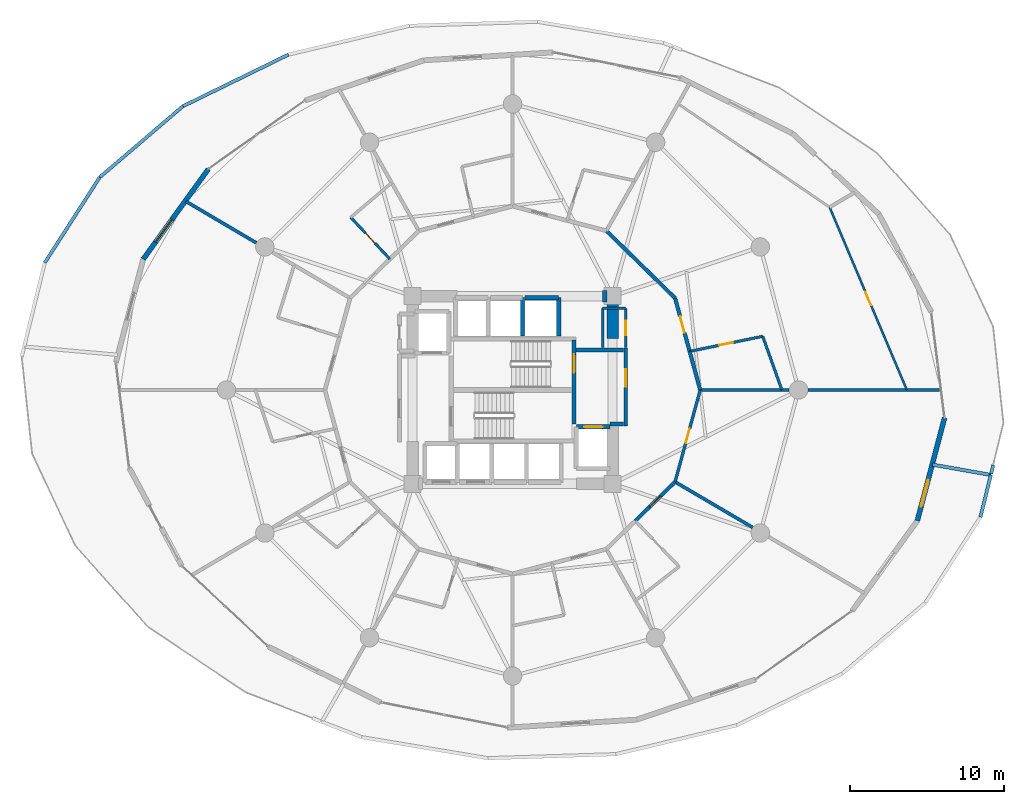
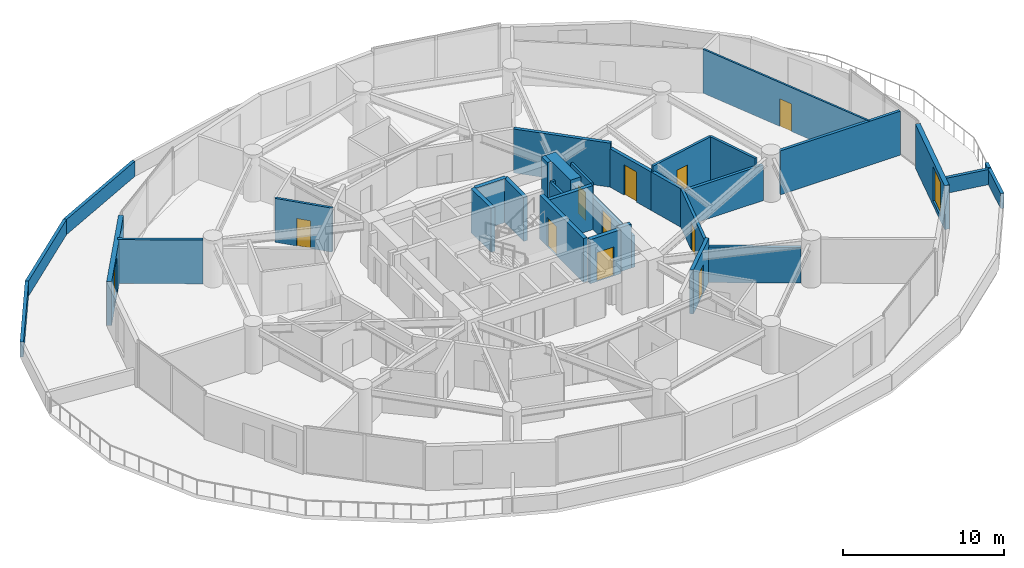
# One storey, part 20 of 25: 34 walls, 10 doors, 2 windows, 12 openings.
"""IFC4 building model written with IfcOpenShell, lengths in metres."""

import ifcopenshell
import ifcopenshell.guid

model = None  # the IFC model being written
_history = None  # IfcOwnerHistory: only IFC2X3 demands one
_inside = {}  # id of a spatial element -> (the spatial element, [elements in it])
_under = {}  # id of a project, library or spatial element -> (it, [spatial elements below it])
_declared = {}  # id of a project -> (the project, [libraries it declares])
_typed = {}  # id of a type object -> (the type object, [elements of that type])
_made_of = {}  # id of a material, layer set ... -> (it, [elements and type objects made of it])


def new_model(schema):
    """Start an empty IFC model of exactly this schema.

    Asked for "IFC4X3", IfcOpenShell would pick the latest addendum, in which some entities
    have other attributes; the version numbers below select the first issue.
    IFC2X3 requires an IfcOwnerHistory on every rooted entity: one is made here for all.
    """
    global model, _history
    if schema == "IFC4X3":
        model = ifcopenshell.file(schema_version=(4, 3, 0, 0))
    else:
        model = ifcopenshell.file(schema=schema)
    _inside.clear()
    _under.clear()
    _declared.clear()
    _typed.clear()
    _made_of.clear()
    _history = None
    if model.schema == "IFC2X3":
        org = make("IfcOrganization", Name="unknown")
        user = make(
            "IfcPersonAndOrganization",
            ThePerson=make("IfcPerson", FamilyName="unknown"),
            TheOrganization=org,
        )
        app = make(
            "IfcApplication",
            ApplicationDeveloper=org,
            Version="unknown",
            ApplicationFullName="unknown",
            ApplicationIdentifier="unknown",
        )
        _history = make(
            "IfcOwnerHistory",
            OwningUser=user,
            OwningApplication=app,
            ChangeAction="ADDED",
            CreationDate=0,
        )
    return model


def make(cls, **values):
    """One entity of the class cls with the attributes given. An attribute that is None is left unset."""
    return model.create_entity(
        cls, **{name: value for name, value in values.items() if value is not None}
    )


def rooted(cls, **values):
    """An entity with a GlobalId (a new one), such as an element, a storey or a relation."""
    return make(cls, GlobalId=ifcopenshell.guid.new(), OwnerHistory=_history, **values)


def si_unit(unit_type, name, prefix=None):
    """IfcSIUnit, for example si_unit("LENGTHUNIT", "METRE", prefix="MILLI")."""
    return make("IfcSIUnit", UnitType=unit_type, Prefix=prefix, Name=name)


def assignment(units):
    """IfcUnitAssignment: the units of a project."""
    return None if units is None else make("IfcUnitAssignment", Units=units)


def point(xyz):
    """IfcCartesianPoint."""
    return None if xyz is None else make("IfcCartesianPoint", Coordinates=xyz)


def direction(xyz):
    """IfcDirection."""
    return None if xyz is None else make("IfcDirection", DirectionRatios=xyz)


def frame(location, z_axis=None, x_axis=None):
    """IfcAxis2Placement3D, a coordinate frame: its origin and axes. An axis left out is left unset."""
    return make(
        "IfcAxis2Placement3D",
        Location=point(location),
        Axis=direction(z_axis),
        RefDirection=direction(x_axis),
    )


def frame_2d(location, x_axis=None):
    """IfcAxis2Placement2D, a coordinate frame in the plane: its origin and x axis."""
    return make(
        "IfcAxis2Placement2D", Location=point(location), RefDirection=direction(x_axis)
    )


def origin():
    """The frame at (0, 0, 0) with its axes left unset."""
    return frame((0.0, 0.0, 0.0))


def place(relative_to, where):
    """IfcLocalPlacement: puts the frame where relative to a parent placement (None: the world)."""
    return make(
        "IfcLocalPlacement", PlacementRelTo=relative_to, RelativePlacement=where
    )


def context(
    kind, dimensions, precision=None, world=None, true_north=None, identifier=None
):
    """IfcGeometricRepresentationContext, for example the 3D "Model" context."""
    return make(
        "IfcGeometricRepresentationContext",
        ContextIdentifier=identifier,
        ContextType=kind,
        CoordinateSpaceDimension=dimensions,
        Precision=precision,
        WorldCoordinateSystem=world,
        TrueNorth=true_north,
    )


def subcontext(parent, identifier, kind, view, scale=None):
    """IfcGeometricRepresentationSubContext, for example "Body" below "Model"."""
    return make(
        "IfcGeometricRepresentationSubContext",
        ContextIdentifier=identifier,
        ContextType=kind,
        ParentContext=parent,
        TargetScale=scale,
        TargetView=view,
    )


def project(units=None, contexts=None):
    """IfcProject with its units and contexts."""
    return rooted(
        "IfcProject",
        Name="project",
        RepresentationContexts=contexts,
        UnitsInContext=assignment(units),
    )


def spatial(cls, under=None, at=None, **own):
    """A site, building, storey or space (cls), placed at a placement, below another one or the project."""
    s = rooted(cls, ObjectPlacement=at, **own)
    if under is not None:
        _under.setdefault(under.id(), (under, []))[1].append(s)
    return s


def profile(cls, at=None, kind="AREA", **sizes):
    """A parametric profile (cls). Its sizes go by their IFC names, for example OverallWidth=200.0."""
    return make(cls, ProfileType=kind, Position=at, **sizes)


def rectangle(**sizes):
    """IfcRectangleProfileDef."""
    return profile("IfcRectangleProfileDef", **sizes)


def extrude(swept, where, along, depth):
    """IfcExtrudedAreaSolid: the profile swept, set in the frame where, extruded along a direction by depth."""
    return make(
        "IfcExtrudedAreaSolid",
        SweptArea=swept,
        Position=where,
        ExtrudedDirection=direction(along),
        Depth=depth,
    )


def shape(context_of_items, identifier, shape_type, items):
    """IfcShapeRepresentation: the items that make up one representation, for example the "Body"."""
    return make(
        "IfcShapeRepresentation",
        ContextOfItems=context_of_items,
        RepresentationIdentifier=identifier,
        RepresentationType=shape_type,
        Items=items,
    )


def material(Name=None, Category=None):
    """IfcMaterial."""
    return make("IfcMaterial", Name=Name, Category=Category)


def layer(
    of_material, thickness, ventilated=None, Name=None, Category=None, Priority=None
):
    """IfcMaterialLayer: one layer of a wall or slab, of a material (None: an air gap)."""
    return make(
        "IfcMaterialLayer",
        Material=of_material,
        LayerThickness=thickness,
        IsVentilated=ventilated,
        Name=Name,
        Category=Category,
        Priority=Priority,
    )


def layer_set(layers, Name=None):
    """IfcMaterialLayerSet."""
    return make("IfcMaterialLayerSet", MaterialLayers=layers, LayerSetName=Name)


def made_of(thing, what):
    """Note that an element or type object is made of a material, layer set ...; save() writes the relation."""
    if what is not None:
        _made_of.setdefault(what.id(), (what, []))[1].append(thing)
    return thing


def type_object(cls, material=None, **own):
    """A type object (cls), such as IfcWallType, which elements share."""
    return made_of(rooted(cls, **own), material)


def element(
    cls,
    number,
    at=None,
    inside=None,
    cuts=None,
    type_object=None,
    material=None,
    context=None,
    identifier="Body",
    shape_type=None,
    held_by="IfcProductDefinitionShape",
    body=None,
    shapes=None,
    **own,
):
    """One element of the class cls, such as IfcWall. Its Tag is "e" and its number.

    at: its placement. inside: the storey or other place that contains it. cuts: it is an
    opening in that element (IfcRelVoidsElement). A single representation is given by context,
    identifier, shape_type and body (its items); several are given by shapes. held_by: the class
    of the entity that holds the representations. save() writes the other relations.
    """
    e = rooted(cls, Tag="e%d" % number, ObjectPlacement=at, **own)
    if body is not None:
        shapes = [shape(context, identifier, shape_type, body)]
    if shapes is not None:
        e.Representation = make(held_by, Representations=shapes)
    if inside is not None:
        _inside.setdefault(inside.id(), (inside, []))[1].append(e)
    if cuts is not None:
        rooted(
            "IfcRelVoidsElement", RelatingBuildingElement=cuts, RelatedOpeningElement=e
        )
    if type_object is not None:
        _typed.setdefault(type_object.id(), (type_object, []))[1].append(e)
    return made_of(e, material)


def fill(opening, filler):
    """IfcRelFillsElement: the door or window that sits in an opening."""
    return rooted(
        "IfcRelFillsElement",
        RelatingOpeningElement=opening,
        RelatedBuildingElement=filler,
    )


def aggregate(whole, parts):
    """IfcRelAggregates: a whole, such as a stair, and the parts it consists of."""
    return rooted("IfcRelAggregates", RelatingObject=whole, RelatedObjects=parts)


def save(model, path):
    """Write the relations noted so far, then the file.

    IfcRelAggregates (storeys below a building ...), IfcRelContainedInSpatialStructure (elements
    in a storey), IfcRelDefinesByType, IfcRelAssociatesMaterial and IfcRelDeclares: one each for
    every whole, place, type object, material and project.
    """
    for whole, parts in _under.values():
        aggregate(whole, parts)
    for where, things in _inside.values():
        rooted(
            "IfcRelContainedInSpatialStructure",
            RelatedElements=things,
            RelatingStructure=where,
        )
    for kind, things in _typed.values():
        rooted("IfcRelDefinesByType", RelatedObjects=things, RelatingType=kind)
    for what, things in _made_of.values():
        rooted("IfcRelAssociatesMaterial", RelatedObjects=things, RelatingMaterial=what)
    for by, libraries in _declared.values():
        rooted("IfcRelDeclares", RelatingContext=by, RelatedDefinitions=libraries)
    model.write(path)


model = new_model("IFC4")

# Units and contexts
model_context = context("Model", 3, precision=1e-05, world=origin(), true_north=direction((0.0, 1.0)))
body_context = subcontext(model_context, "Body", "Model", "MODEL_VIEW")
ifc_project = project(units=[si_unit("LENGTHUNIT", "METRE"), si_unit("AREAUNIT", "SQUARE_METRE"), si_unit("VOLUMEUNIT", "CUBIC_METRE"), si_unit("PLANEANGLEUNIT", "RADIAN"), si_unit("MASSUNIT", "GRAM", prefix="KILO")], contexts=[model_context])

# Site, building, storey
site_placement = place(None, origin())
site = spatial("IfcSite", under=ifc_project, at=site_placement, CompositionType="ELEMENT")
building_placement = place(site_placement, origin())
building = spatial("IfcBuilding", under=site, at=building_placement, Name="Solvirekh Grand Hotel", CompositionType="ELEMENT")
storey_placement = place(building_placement, frame((0.0, 0.0, 28.39990234375)))
storey = spatial("IfcBuildingStorey", under=building, at=storey_placement, Name="L05", CompositionType="ELEMENT", Elevation=28.39990234375)

# Walls
ifc_material_1 = material(Name="Concrete C40/50", Category="concrete")
ifc_layer_1 = layer(ifc_material_1, 0.280029296875)
ifc_layer_set_1 = layer_set([ifc_layer_1], Name="Concrete C40/50")
wall_type_1 = type_object("IfcWallType", Name="CoreShaftWall_RC280", PredefinedType="SOLIDWALL", material=ifc_layer_set_1)
wall_1_placement = place(storey_placement, frame((0.64990234375, 3.5, 0.0), z_axis=(0.0, 0.0, 1.0), x_axis=(0.0, 1.0, 0.0)))
element("IfcWall", 1, at=wall_1_placement, inside=storey, type_object=wall_type_1, Name="L05 HP-2 hoistway E wall", PredefinedType="SOLIDWALL", context=body_context, shape_type="SweptSolid", body=[
    extrude(rectangle(XDim=2.5, YDim=0.280029296875, at=frame_2d((1.25, 0.0))), origin(), (0.0, 0.0, 1.0), 3.340087890625),
])
wall_2_placement = place(storey_placement, frame((3.0, 6.0, 0.0), z_axis=(0.0, 0.0, 1.0), x_axis=(-1.0, 0.0, 0.0)))
element("IfcWall", 2, at=wall_2_placement, inside=storey, type_object=wall_type_1, Name="L05 EX-1 hoistway N wall", PredefinedType="SOLIDWALL", context=body_context, shape_type="SweptSolid", body=[
    extrude(rectangle(XDim=2.199951171875, YDim=0.280029296875, at=frame_2d((1.10009765625, 0.0))), origin(), (0.0, 0.0, 1.0), 3.340087890625),
])
wall_3_placement = place(storey_placement, frame((3.0, 3.5, 0.0), z_axis=(0.0, 0.0, 1.0), x_axis=(0.0, 1.0, 0.0)))
element("IfcWall", 3, at=wall_3_placement, inside=storey, type_object=wall_type_1, Name="L05 EX-1 hoistway E wall", PredefinedType="SOLIDWALL", context=body_context, shape_type="SweptSolid", body=[
    extrude(rectangle(XDim=2.5, YDim=0.280029296875, at=frame_2d((1.25, 0.0))), origin(), (0.0, 0.0, 1.0), 3.340087890625),
])

# Wall, opening, door
wall_4_placement = place(storey_placement, frame((6.35009765625, -2.39990234375, 0.0), z_axis=(0.0, 0.0, 1.0), x_axis=(-1.0, 0.0, 0.0)))
wall_4 = element("IfcWall", 4, at=wall_4_placement, inside=storey, type_object=wall_type_1, Name="L05 FL-2 hoistway N wall", PredefinedType="SOLIDWALL", context=body_context, shape_type="SweptSolid", body=[
    extrude(rectangle(XDim=2.2001953125, YDim=0.280029296875, at=frame_2d((1.10009765625, 0.0))), origin(), (0.0, 0.0, 1.0), 3.340087890625),
])
opening_1_placement = place(wall_4_placement, frame((0.5, 0.0, 0.0)))
opening_1 = element("IfcOpeningElement", 5, at=opening_1_placement, cuts=wall_4, Name="Opening LD02", PredefinedType="OPENING", context=body_context, shape_type="SweptSolid", body=[
    extrude(rectangle(XDim=1.199951171875, YDim=2.199951171875, at=frame_2d((0.60009765625, 1.10009765625))), frame((0.0, 0.14990234375, 0.0), z_axis=(0.0, -1.0, 0.0), x_axis=(1.0, 0.0, 0.0)), (0.0, 0.0, 1.0), 0.300048828125),
])
ifc_material_2 = material(Name="Fire-Rated Steel Door Assembly", Category="steel")
door_type_1 = type_object("IfcDoorType", Name="Door_LiftFF_1200X2200", OperationType="SLIDING_TO_LEFT", PredefinedType="DOOR", material=ifc_material_2)
door_1_placement = place(opening_1_placement, origin())
door_1 = element("IfcDoor", 6, at=door_1_placement, inside=storey, type_object=door_type_1, Name="L05 FL-2 sliding lift landing door", OperationType="SLIDING_TO_LEFT", OverallHeight=2.199951171875, OverallWidth=1.199951171875, PredefinedType="DOOR", context=body_context, shape_type="SweptSolid", body=[
    extrude(rectangle(XDim=1.199951171875, YDim=2.199951171875, at=frame_2d((0.60009765625, 1.10009765625))), frame((0.0, 0.02490234375, 0.0), z_axis=(0.0, -1.0, 0.0), x_axis=(1.0, 0.0, 0.0)), (0.0, 0.0, 1.0), 0.050048828125),
])
fill(opening_1, door_1)

wall_5_placement = place(storey_placement, frame((3.989990234375, -2.2099609375, 0.0), z_axis=(0.0, 0.0, 1.0), x_axis=(0.0, 1.0, 0.0)))
wall_5 = element("IfcWall", 7, at=wall_5_placement, inside=storey, type_object=wall_type_1, Name="L05 east stair landing enclosure wall", PredefinedType="SOLIDWALL", context=body_context, shape_type="SweptSolid", body=[
    extrude(rectangle(XDim=5.4599609375, YDim=0.280029296875, at=frame_2d((2.72998046875, 0.0))), origin(), (0.0, 0.0, 1.0), 3.340087890625),
])
opening_2_placement = place(wall_5_placement, frame((3.322998046875, 0.0, 0.0)))
opening_2 = element("IfcOpeningElement", 8, at=opening_2_placement, cuts=wall_5, Name="Opening D05", PredefinedType="OPENING", context=body_context, shape_type="SweptSolid", body=[
    extrude(rectangle(XDim=1.199951171875, YDim=2.199951171875, at=frame_2d((0.60009765625, 1.10009765625))), frame((0.0, 0.14990234375, 0.0), z_axis=(0.0, -1.0, 0.0), x_axis=(1.0, 0.0, 0.0)), (0.0, 0.0, 1.0), 0.300048828125),
])
door_type_2 = type_object("IfcDoorType", Name="Door_StairCore_1200X2200", OperationType="NOTDEFINED", PredefinedType="DOOR", material=ifc_material_2)
door_2_placement = place(opening_2_placement, origin())
door_2 = element("IfcDoor", 9, at=door_2_placement, inside=storey, type_object=door_type_2, Name="L05 exit stair ST-2 fire door", OperationType="SINGLE_SWING_LEFT", OverallHeight=2.199951171875, OverallWidth=1.199951171875, PredefinedType="DOOR", context=body_context, shape_type="SweptSolid", body=[
    extrude(rectangle(XDim=1.199951171875, YDim=2.199951171875, at=frame_2d((0.60009765625, 1.10009765625))), frame((0.0, 0.02490234375, 0.0), z_axis=(0.0, -1.0, 0.0), x_axis=(1.0, 0.0, 0.0)), (0.0, 0.0, 1.0), 0.050048828125),
])
fill(opening_2, door_2)

# Walls
ifc_material_3 = material(Name="Concrete C60/75", Category="concrete")
ifc_layer_2 = layer(ifc_material_3, 0.75)
ifc_layer_set_2 = layer_set([ifc_layer_2], Name="Concrete C60/75")
wall_type_2 = type_object("IfcWallType", Name="CoreWall_RC750", PredefinedType="SHEAR", material=ifc_layer_set_2)
wall_6_placement = place(storey_placement, frame((5.85009765625, 6.10009765625, 0.0), z_axis=(0.0, 0.0, 1.0), x_axis=(1.0, 0.0, 0.0)))
element("IfcWall", 10, at=wall_6_placement, inside=storey, type_object=wall_type_2, Name="L05 core corner shear wall NE-N", PredefinedType="SHEAR", context=body_context, shape_type="SweptSolid", body=[
    extrude(rectangle(XDim=0.27490234375, YDim=0.75, at=frame_2d((0.137451171875, 0.0))), origin(), (0.0, 0.0, 1.0), 3.60009765625),
])
wall_7_placement = place(storey_placement, frame((6.5, 3.35009765625, 0.0), z_axis=(0.0, 0.0, 1.0), x_axis=(0.0, 1.0, 0.0)))
element("IfcWall", 11, at=wall_7_placement, inside=storey, type_object=wall_type_2, Name="L05 core corner shear wall EN-E", PredefinedType="SHEAR", context=body_context, shape_type="SweptSolid", body=[
    extrude(rectangle(XDim=3.125, YDim=0.75, at=frame_2d((1.5625, 0.0))), origin(), (0.0, 0.0, 1.0), 3.60009765625),
])

# Wall, opening, window
ifc_material_4 = material(Name="Precast concrete C45/55", Category="concrete")
ifc_layer_3 = layer(ifc_material_4, 0.320068359375)
ifc_layer_set_3 = layer_set([ifc_layer_3], Name="Precast concrete C45/55")
wall_type_3 = type_object("IfcWallType", Name="ExtLobbyWall_RC320", PredefinedType="SOLIDWALL", material=ifc_layer_set_3)
wall_8_placement = place(storey_placement, frame((-24.01611328125, 8.5029296875, 0.0), z_axis=(0.0, 0.0, 1.0), x_axis=(0.585883584877, 0.810395227634, 0.0)))
wall_8 = element("IfcWall", 12, at=wall_8_placement, inside=storey, type_object=wall_type_3, Name="L05 exterior structural wall chord 9", PredefinedType="SOLIDWALL", context=body_context, shape_type="SweptSolid", body=[
    extrude(rectangle(XDim=7.233642578125, YDim=0.320068359375, at=frame_2d((3.61669921875, 0.0))), origin(), (0.0, 0.0, 1.0), 3.340087890625),
])
opening_3_placement = place(wall_8_placement, frame((1.385986328125, 0.0, 0.35009765625)))
opening_3 = element("IfcOpeningElement", 13, at=opening_3_placement, cuts=wall_8, Name="Opening W02", PredefinedType="OPENING", context=body_context, shape_type="SweptSolid", body=[
    extrude(rectangle(XDim=1.800048828125, YDim=2.60009765625, at=frame_2d((0.89990234375, 1.300048828125))), frame((0.0, 0.169921875, 0.0), z_axis=(0.0, -1.0, 0.0), x_axis=(1.0, 0.0, 0.0)), (0.0, 0.0, 1.0), 0.340087890625),
])
ifc_material_5 = material(Name="Low-E Tinted Bronze Laminated Glass", Category="aluminium")
window_type = type_object("IfcWindowType", Name="Win_LobbyExt_1800X2600", PartitioningType="SINGLE_PANEL", PredefinedType="WINDOW", material=ifc_material_5)
window_1_placement = place(opening_3_placement, origin())
window_1 = element("IfcWindow", 14, at=window_1_placement, inside=storey, type_object=window_type, Name="L05 panoramic bronze-framed window 9", OverallHeight=2.60009765625, OverallWidth=1.800048828125, PartitioningType="SINGLE_PANEL", PredefinedType="WINDOW", context=body_context, shape_type="SweptSolid", body=[
    extrude(rectangle(XDim=1.800048828125, YDim=2.60009765625, at=frame_2d((0.89990234375, 1.300048828125))), frame((0.0, 0.030029296875, 0.0), z_axis=(0.0, -1.0, 0.0), x_axis=(1.0, 0.0, 0.0)), (0.0, 0.0, 1.0), 0.06005859375),
])
fill(opening_3, window_1)

wall_9_placement = place(storey_placement, frame((28.089111328125, -1.80810546875, 0.0), z_axis=(0.0, 0.0, 1.0), x_axis=(-0.256032082016, -0.966668284873, 0.0)))
wall_9 = element("IfcWall", 15, at=wall_9_placement, inside=storey, type_object=wall_type_3, Name="L05 exterior structural wall chord 20", PredefinedType="SOLIDWALL", context=body_context, shape_type="SweptSolid", body=[
    extrude(rectangle(XDim=6.92578125, YDim=0.320068359375, at=frame_2d((3.462890625, 0.0))), origin(), (0.0, 0.0, 1.0), 3.340087890625),
])
opening_4_placement = place(wall_9_placement, frame((4.18603515625, 0.0, 0.35009765625)))
opening_4 = element("IfcOpeningElement", 16, at=opening_4_placement, cuts=wall_9, Name="Opening W02", PredefinedType="OPENING", context=body_context, shape_type="SweptSolid", body=[
    extrude(rectangle(XDim=1.800048828125, YDim=2.60009765625, at=frame_2d((0.89990234375, 1.300048828125))), frame((0.0, 0.169921875, 0.0), z_axis=(0.0, -1.0, 0.0), x_axis=(1.0, 0.0, 0.0)), (0.0, 0.0, 1.0), 0.340087890625),
])
window_2_placement = place(opening_4_placement, origin())
window_2 = element("IfcWindow", 17, at=window_2_placement, inside=storey, type_object=window_type, Name="L05 panoramic bronze-framed window 20", OverallHeight=2.60009765625, OverallWidth=1.800048828125, PartitioningType="SINGLE_PANEL", PredefinedType="WINDOW", context=body_context, shape_type="SweptSolid", body=[
    extrude(rectangle(XDim=1.800048828125, YDim=2.60009765625, at=frame_2d((0.89990234375, 1.300048828125))), frame((0.0, 0.030029296875, 0.0), z_axis=(0.0, -1.0, 0.0), x_axis=(1.0, 0.0, 0.0)), (0.0, 0.0, 1.0), 0.06005859375),
])
fill(opening_4, window_2)

# Walls
ifc_layer_4 = layer(ifc_material_4, 0.219970703125)
ifc_layer_set_4 = layer_set([ifc_layer_4], Name="Precast concrete C45/55")
wall_type_4 = type_object("IfcWallType", Name="ExtParapet_RC220", PredefinedType="PARAPET", material=ifc_layer_set_4)
wall_10_placement = place(storey_placement, frame((31.116943359375, -5.446044921875, 0.0), z_axis=(0.0, 0.0, 1.0), x_axis=(0.237974150399, 0.971271488175, 0.0)))
element("IfcWall", 18, at=wall_10_placement, inside=storey, type_object=wall_type_4, Name="L05 east terrace movement-joint end pier 1A", PredefinedType="PARAPET", context=body_context, shape_type="SweptSolid", body=[
    extrude(rectangle(XDim=0.57958984375, YDim=0.219970703125, at=frame_2d((0.289794921875, 0.0))), origin(), (0.0, 0.0, 1.0), 1.150146484375),
])
wall_11_placement = place(storey_placement, frame((-14.572021484375, 21.80908203125, 0.0), z_axis=(0.0, 0.0, 1.0), x_axis=(-0.898207066033, -0.439572595289, 0.0)))
element("IfcWall", 19, at=wall_11_placement, inside=storey, type_object=wall_type_4, Name="L05 north podium roof upstand parapet 6", PredefinedType="PARAPET", context=body_context, shape_type="SweptSolid", body=[
    extrude(rectangle(XDim=7.646240234375, YDim=0.219970703125, at=frame_2d((3.8232421875, 0.0))), origin(), (0.0, 0.0, 1.0), 1.150146484375),
])
wall_12_placement = place(storey_placement, frame((-21.43994140625, 18.447998046875, 0.0), z_axis=(0.0, 0.0, 1.0), x_axis=(-0.760343653317, -0.649520999553, 0.0)))
element("IfcWall", 20, at=wall_12_placement, inside=storey, type_object=wall_type_4, Name="L05 north podium roof upstand parapet 7", PredefinedType="PARAPET", context=body_context, shape_type="SweptSolid", body=[
    extrude(rectangle(XDim=7.111328125, YDim=0.219970703125, at=frame_2d((3.5556640625, 0.0))), origin(), (0.0, 0.0, 1.0), 1.150146484375),
])
wall_13_placement = place(storey_placement, frame((-26.846923828125, 13.8291015625, 0.0), z_axis=(0.0, 0.0, 1.0), x_axis=(-0.540992703038, -0.841027285681, 0.0)))
element("IfcWall", 21, at=wall_13_placement, inside=storey, type_object=wall_type_4, Name="L05 north podium roof upstand parapet 8", PredefinedType="PARAPET", context=body_context, shape_type="SweptSolid", body=[
    extrude(rectangle(XDim=6.6123046875, YDim=0.219970703125, at=frame_2d((3.30615234375, 0.0))), origin(), (0.0, 0.0, 1.0), 1.150146484375),
])
wall_14_placement = place(storey_placement, frame((30.424072265625, -8.26806640625, 0.0), z_axis=(0.0, 0.0, 1.0), x_axis=(0.238467552025, 0.971150465495, 0.0)))
element("IfcWall", 22, at=wall_14_placement, inside=storey, type_object=wall_type_4, Name="L05 south podium roof upstand parapet 9", PredefinedType="PARAPET", context=body_context, shape_type="SweptSolid", body=[
    extrude(rectangle(XDim=2.82568359375, YDim=0.219970703125, at=frame_2d((1.412841796875, 0.0))), origin(), (0.0, 0.0, 1.0), 1.150146484375),
])
wall_15_placement = place(storey_placement, frame((31.097900390625, -5.52392578125, 0.0), z_axis=(0.0, 0.0, 1.0), x_axis=(-0.984816707484, 0.173597386677, 0.0)))
element("IfcWall", 23, at=wall_15_placement, inside=storey, type_object=wall_type_4, Name="L05 south podium roof upstand parapet 10", PredefinedType="PARAPET", context=body_context, shape_type="SweptSolid", body=[
    extrude(rectangle(XDim=3.853515625, YDim=0.219970703125, at=frame_2d((1.9267578125, 0.0))), origin(), (0.0, 0.0, 1.0), 1.150146484375),
])

# Wall, opening, door
ifc_material_6 = material(Name="Acoustic Gypsum Partition Assembly")
ifc_layer_5 = layer(ifc_material_6, 0.1650390625)
ifc_layer_set_5 = layer_set([ifc_layer_5], Name="Acoustic Gypsum Partition Assembly")
wall_type_5 = type_object("IfcWallType", Name="Part_BOH_165", PredefinedType="PARTITIONING", material=ifc_layer_set_5)
wall_16_placement = place(storey_placement, frame((7.35009765625, 2.75, 0.0), z_axis=(0.0, 0.0, 1.0), x_axis=(0.0, 1.0, 0.0)))
wall_16 = element("IfcWall", 24, at=wall_16_placement, inside=storey, type_object=wall_type_5, Name="L05 L05 Core Housekeeping & Linen Room wall 2", PredefinedType="PARTITIONING", context=body_context, shape_type="SweptSolid", body=[
    extrude(rectangle(XDim=2.550048828125, YDim=0.1650390625, at=frame_2d((1.27490234375, 0.0))), origin(), (0.0, 0.0, 1.0), 3.340087890625),
])
opening_5_placement = place(wall_16_placement, frame((0.800048828125, 0.0, 0.0)))
opening_5 = element("IfcOpeningElement", 25, at=opening_5_placement, cuts=wall_16, Name="Opening D10", PredefinedType="OPENING", context=body_context, shape_type="SweptSolid", body=[
    extrude(rectangle(XDim=0.949951171875, YDim=2.10009765625, at=frame_2d((0.47509765625, 1.050048828125))), frame((0.0, 0.092529296875, 0.0), z_axis=(0.0, -1.0, 0.0), x_axis=(1.0, 0.0, 0.0)), (0.0, 0.0, 1.0), 0.18505859375),
])
ifc_material_7 = material(Name="Anodized Bronze Aluminium 6063-T6", Category="aluminium")
door_type_3 = type_object("IfcDoorType", Name="Door_RoomInt_950X2100", OperationType="NOTDEFINED", PredefinedType="DOOR", material=ifc_material_7)
door_3_placement = place(opening_5_placement, origin())
door_3 = element("IfcDoor", 26, at=door_3_placement, inside=storey, type_object=door_type_3, Name="L05 L05 Core Housekeeping & Linen Room door", OperationType="SINGLE_SWING_LEFT", OverallHeight=2.10009765625, OverallWidth=0.949951171875, PredefinedType="DOOR", context=body_context, shape_type="SweptSolid", body=[
    extrude(rectangle(XDim=0.949951171875, YDim=2.10009765625, at=frame_2d((0.47509765625, 1.050048828125))), frame((0.0, 0.02490234375, 0.0), z_axis=(0.0, -1.0, 0.0), x_axis=(1.0, 0.0, 0.0)), (0.0, 0.0, 1.0), 0.050048828125),
])
fill(opening_5, door_3)

# Walls
wall_17_placement = place(storey_placement, frame((7.35009765625, 5.300048828125, 0.0), z_axis=(0.0, 0.0, 1.0), x_axis=(-1.0, 0.0, 0.0)))
element("IfcWall", 27, at=wall_17_placement, inside=storey, type_object=wall_type_5, Name="L05 L05 Core Housekeeping & Linen Room wall 3", PredefinedType="PARTITIONING", context=body_context, shape_type="SweptSolid", body=[
    extrude(rectangle(XDim=1.5, YDim=0.1650390625, at=frame_2d((0.75, 0.0))), origin(), (0.0, 0.0, 1.0), 2.425048828125),
])
wall_18_placement = place(storey_placement, frame((5.85009765625, 5.300048828125, 0.0), z_axis=(0.0, 0.0, 1.0), x_axis=(0.0, -1.0, 0.0)))
element("IfcWall", 28, at=wall_18_placement, inside=storey, type_object=wall_type_5, Name="L05 L05 Core Housekeeping & Linen Room wall 4", PredefinedType="PARTITIONING", context=body_context, shape_type="SweptSolid", body=[
    extrude(rectangle(XDim=2.550048828125, YDim=0.1650390625, at=frame_2d((1.27490234375, 0.0))), origin(), (0.0, 0.0, 1.0), 2.425048828125),
])

# Wall, opening, door
ifc_layer_6 = layer(ifc_material_6, 0.239990234375)
ifc_layer_set_6 = layer_set([ifc_layer_6], Name="Acoustic Gypsum Partition Assembly")
wall_type_6 = type_object("IfcWallType", Name="Part_Corridor_240", PredefinedType="PARTITIONING", material=ifc_layer_set_6)
wall_19_placement = place(storey_placement, frame((7.35009765625, -2.340087890625, 0.0), z_axis=(0.0, 0.0, 1.0), x_axis=(0.0, 1.0, 0.0)))
wall_19 = element("IfcWall", 29, at=wall_19_placement, inside=storey, type_object=wall_type_6, Name="L05 east firefighting lobby smoke screen wall", PredefinedType="PARTITIONING", context=body_context, shape_type="SweptSolid", body=[
    extrude(rectangle(XDim=5.070068359375, YDim=0.239990234375, at=frame_2d((2.53515625, 0.0))), origin(), (0.0, 0.0, 1.0), 2.425048828125),
])
opening_6_placement = place(wall_19_placement, frame((2.548095703125, 0.0, 0.0)))
opening_6 = element("IfcOpeningElement", 30, at=opening_6_placement, cuts=wall_19, Name="Opening D06", PredefinedType="OPENING", context=body_context, shape_type="SweptSolid", body=[
    extrude(rectangle(XDim=1.14990234375, YDim=2.199951171875, at=frame_2d((0.574951171875, 1.10009765625))), frame((0.0, 0.1298828125, 0.0), z_axis=(0.0, -1.0, 0.0), x_axis=(1.0, 0.0, 0.0)), (0.0, 0.0, 1.0), 0.260009765625),
])
door_type_4 = type_object("IfcDoorType", Name="Door_FFLobby_1150X2200", OperationType="NOTDEFINED", PredefinedType="DOOR", material=ifc_material_2)
door_4_placement = place(opening_6_placement, origin())
door_4 = element("IfcDoor", 31, at=door_4_placement, inside=storey, type_object=door_type_4, Name="L05 east firefighting lobby smoke door", OperationType="SINGLE_SWING_LEFT", OverallHeight=2.199951171875, OverallWidth=1.14990234375, PredefinedType="DOOR", context=body_context, shape_type="SweptSolid", body=[
    extrude(rectangle(XDim=1.14990234375, YDim=2.199951171875, at=frame_2d((0.574951171875, 1.10009765625))), frame((0.0, 0.02490234375, 0.0), z_axis=(0.0, -1.0, 0.0), x_axis=(1.0, 0.0, 0.0)), (0.0, 0.0, 1.0), 0.050048828125),
])
fill(opening_6, door_4)

# Walls
wall_20_placement = place(storey_placement, frame((12.199951171875, 0.0, 0.0), z_axis=(0.0, 0.0, 1.0), x_axis=(-0.263744763784, 0.964592504416, 0.0)))
element("IfcWall", 32, at=wall_20_placement, inside=storey, type_object=wall_type_6, Name="L05 En-suite Bathroom 0701 corridor backing wall", PredefinedType="PARTITIONING", context=body_context, shape_type="SweptSolid", body=[
    extrude(rectangle(XDim=2.60107421875, YDim=0.239990234375, at=frame_2d((1.300537109375, 0.0))), origin(), (0.0, 0.0, 1.0), 2.919189453125),
])
wall_21_placement = place(storey_placement, frame((10.56591796875, 5.97509765625, 0.0), z_axis=(0.0, 0.0, 1.0), x_axis=(-0.714411174131, 0.699726142342, 0.0)))
element("IfcWall", 33, at=wall_21_placement, inside=storey, type_object=wall_type_6, Name="L05 Executive Suite 0701 Living Room corridor wall 1", PredefinedType="PARTITIONING", context=body_context, shape_type="SweptSolid", body=[
    extrude(rectangle(XDim=6.2509765625, YDim=0.239990234375, at=frame_2d((3.12548828125, 0.0))), origin(), (0.0, 0.0, 1.0), 3.340087890625),
])

# Wall, opening, door
wall_22_placement = place(storey_placement, frame((11.513916015625, 2.509033203125, 0.0), z_axis=(0.0, 0.0, 1.0), x_axis=(-0.263818706543, 0.96457228349, 0.0)))
wall_22 = element("IfcWall", 34, at=wall_22_placement, inside=storey, type_object=wall_type_6, Name="L05 Executive Suite 0701 Living Room entrance wall", PredefinedType="PARTITIONING", context=body_context, shape_type="SweptSolid", body=[
    extrude(rectangle(XDim=3.59326171875, YDim=0.239990234375, at=frame_2d((1.796630859375, 0.0))), origin(), (0.0, 0.0, 1.0), 2.919189453125),
])
opening_7_placement = place(wall_22_placement, frame((1.2470703125, 0.0, 0.0)))
opening_7 = element("IfcOpeningElement", 35, at=opening_7_placement, cuts=wall_22, Name="Opening D08", PredefinedType="OPENING", context=body_context, shape_type="SweptSolid", body=[
    extrude(rectangle(XDim=1.10009765625, YDim=2.300048828125, at=frame_2d((0.550048828125, 1.14990234375))), frame((0.0, 0.1298828125, 0.0), z_axis=(0.0, -1.0, 0.0), x_axis=(1.0, 0.0, 0.0)), (0.0, 0.0, 1.0), 0.260009765625),
])
door_type_5 = type_object("IfcDoorType", Name="Door_SuiteEntry_1100X2300", OperationType="NOTDEFINED", PredefinedType="DOOR", material=ifc_material_2)
door_5_placement = place(opening_7_placement, origin())
door_5 = element("IfcDoor", 36, at=door_5_placement, inside=storey, type_object=door_type_5, Name="L05 Executive Suite 0701 Living Room entrance door", OperationType="SINGLE_SWING_LEFT", OverallHeight=2.300048828125, OverallWidth=1.10009765625, PredefinedType="DOOR", context=body_context, shape_type="SweptSolid", body=[
    extrude(rectangle(XDim=1.10009765625, YDim=2.300048828125, at=frame_2d((0.550048828125, 1.14990234375))), frame((0.0, 0.02490234375, 0.0), z_axis=(0.0, -1.0, 0.0), x_axis=(1.0, 0.0, 0.0)), (0.0, 0.0, 1.0), 0.050048828125),
])
fill(opening_7, door_5)

wall_23_placement = place(storey_placement, frame((7.97607421875, -8.511962890625, 0.0), z_axis=(0.0, 0.0, 1.0), x_axis=(0.714375756875, 0.699762301064, 0.0)))
wall_23 = element("IfcWall", 37, at=wall_23_placement, inside=storey, type_object=wall_type_6, Name="L05 Deluxe Guestroom 0710 entrance wall", PredefinedType="PARTITIONING", context=body_context, shape_type="SweptSolid", body=[
    extrude(rectangle(XDim=3.625244140625, YDim=0.239990234375, at=frame_2d((1.8125, 0.0))), origin(), (0.0, 0.0, 1.0), 3.340087890625),
])
opening_8_placement = place(wall_23_placement, frame((1.31298828125, 0.0, 0.0)))
opening_8 = element("IfcOpeningElement", 38, at=opening_8_placement, cuts=wall_23, Name="Opening D07", PredefinedType="OPENING", context=body_context, shape_type="SweptSolid", body=[
    extrude(rectangle(XDim=1.0, YDim=2.199951171875, at=frame_2d((0.5, 1.10009765625))), frame((0.0, 0.1298828125, 0.0), z_axis=(0.0, -1.0, 0.0), x_axis=(1.0, 0.0, 0.0)), (0.0, 0.0, 1.0), 0.260009765625),
])
door_type_6 = type_object("IfcDoorType", Name="Door_GuestEntry_1000X2200", OperationType="NOTDEFINED", PredefinedType="DOOR", material=ifc_material_2)
door_6_placement = place(opening_8_placement, origin())
door_6 = element("IfcDoor", 39, at=door_6_placement, inside=storey, type_object=door_type_6, Name="L05 Deluxe Guestroom 0710 entrance door", OperationType="SINGLE_SWING_LEFT", OverallHeight=2.199951171875, OverallWidth=1.0, PredefinedType="DOOR", context=body_context, shape_type="SweptSolid", body=[
    extrude(rectangle(XDim=1.0, YDim=2.199951171875, at=frame_2d((0.5, 1.10009765625))), frame((0.0, 0.02490234375, 0.0), z_axis=(0.0, -1.0, 0.0), x_axis=(1.0, 0.0, 0.0)), (0.0, 0.0, 1.0), 0.050048828125),
])
fill(opening_8, door_6)

ifc_layer_7 = layer(ifc_material_6, 0.18994140625)
ifc_layer_set_7 = layer_set([ifc_layer_7], Name="Acoustic Gypsum Partition Assembly")
wall_type_7 = type_object("IfcWallType", Name="Part_GuestDemise_190", PredefinedType="PARTITIONING", material=ifc_layer_set_7)
wall_24_placement = place(storey_placement, frame((10.56591796875, -5.97509765625, 0.0), z_axis=(0.0, 0.0, 1.0), x_axis=(0.263787657435, 0.964580775148, 0.0)))
wall_24 = element("IfcWall", 40, at=wall_24_placement, inside=storey, type_object=wall_type_7, Name="L05 L05 Club Reading Lounge entrance wall", PredefinedType="PARTITIONING", context=body_context, shape_type="SweptSolid", body=[
    extrude(rectangle(XDim=6.194580078125, YDim=0.18994140625, at=frame_2d((3.09716796875, 0.0))), origin(), (0.0, 0.0, 1.0), 2.919189453125),
])
opening_9_placement = place(wall_24_placement, frame((2.6220703125, 0.0, 0.0)))
opening_9 = element("IfcOpeningElement", 41, at=opening_9_placement, cuts=wall_24, Name="Opening D10", PredefinedType="OPENING", context=body_context, shape_type="SweptSolid", body=[
    extrude(rectangle(XDim=0.949951171875, YDim=2.10009765625, at=frame_2d((0.47509765625, 1.050048828125))), frame((0.0, 0.10498046875, 0.0), z_axis=(0.0, -1.0, 0.0), x_axis=(1.0, 0.0, 0.0)), (0.0, 0.0, 1.0), 0.2099609375),
])
door_7_placement = place(opening_9_placement, origin())
door_7 = element("IfcDoor", 42, at=door_7_placement, inside=storey, type_object=door_type_3, Name="L05 L05 Club Reading Lounge entrance door", OperationType="SINGLE_SWING_RIGHT", OverallHeight=2.10009765625, OverallWidth=0.949951171875, PredefinedType="DOOR", context=body_context, shape_type="SweptSolid", body=[
    extrude(rectangle(XDim=0.949951171875, YDim=2.10009765625, at=frame_2d((0.47509765625, 1.050048828125))), frame((0.0, 0.02490234375, 0.0), z_axis=(0.0, -1.0, 0.0), x_axis=(1.0, 0.0, 0.0)), (0.0, 0.0, 1.0), 0.050048828125),
])
fill(opening_9, door_7)

# Walls
ifc_layer_8 = layer(ifc_material_6, 0.260009765625)
ifc_layer_set_8 = layer_set([ifc_layer_8], Name="Acoustic Gypsum Partition Assembly")
wall_type_8 = type_object("IfcWallType", Name="Part_LobbyFF_260", PredefinedType="PARTITIONING", material=ifc_layer_set_8)
wall_25_placement = place(storey_placement, frame((6.35009765625, -2.2099609375, 0.0), z_axis=(0.0, 0.0, 1.0), x_axis=(1.0, 0.0, 0.0)))
element("IfcWall", 43, at=wall_25_placement, inside=storey, type_object=wall_type_8, Name="L05 east firefighting lobby SE cheek", PredefinedType="PARTITIONING", context=body_context, shape_type="SweptSolid", body=[
    extrude(rectangle(XDim=0.875, YDim=0.260009765625, at=frame_2d((0.4375, 0.0))), origin(), (0.0, 0.0, 1.0), 3.340087890625),
])
wall_26_placement = place(storey_placement, frame((4.1298828125, 2.60009765625, 0.0), z_axis=(0.0, 0.0, 1.0), x_axis=(1.0, 0.0, 0.0)))
element("IfcWall", 44, at=wall_26_placement, inside=storey, type_object=wall_type_8, Name="L05 east firefighting lobby north partition", PredefinedType="PARTITIONING", context=body_context, shape_type="SweptSolid", body=[
    extrude(rectangle(XDim=3.09521484375, YDim=0.260009765625, at=frame_2d((1.547607421875, 0.0))), origin(), (0.0, 0.0, 1.0), 3.340087890625),
])

# Wall, opening, door
ifc_layer_9 = layer(ifc_material_6, 0.135009765625)
ifc_layer_set_9 = layer_set([ifc_layer_9], Name="Acoustic Gypsum Partition Assembly")
wall_type_9 = type_object("IfcWallType", Name="Part_RoomInt_135", PredefinedType="PARTITIONING", material=ifc_layer_set_9)
wall_27_placement = place(storey_placement, frame((25.635009765625, 0.0, 0.0), z_axis=(0.0, 0.0, 1.0), x_axis=(-0.389280036571, 0.921119456491, 0.0)))
wall_27 = element("IfcWall", 45, at=wall_27_placement, inside=storey, type_object=wall_type_9, Name="L05 Executive Suite 0701 Living Room bedroom screen wall", PredefinedType="PARTITIONING", context=body_context, shape_type="SweptSolid", body=[
    extrude(rectangle(XDim=12.900634765625, YDim=0.135009765625, at=frame_2d((6.4501953125, 0.0))), origin(), (0.0, 0.0, 1.0), 3.340087890625),
])
opening_10_placement = place(wall_27_placement, frame((5.97509765625, 0.0, 0.0)))
opening_10 = element("IfcOpeningElement", 46, at=opening_10_placement, cuts=wall_27, Name="Opening D10", PredefinedType="OPENING", context=body_context, shape_type="SweptSolid", body=[
    extrude(rectangle(XDim=0.949951171875, YDim=2.10009765625, at=frame_2d((0.47509765625, 1.050048828125))), frame((0.0, 0.07763671875, 0.0), z_axis=(0.0, -1.0, 0.0), x_axis=(1.0, 0.0, 0.0)), (0.0, 0.0, 1.0), 0.155029296875),
])
door_8_placement = place(opening_10_placement, origin())
door_8 = element("IfcDoor", 47, at=door_8_placement, inside=storey, type_object=door_type_3, Name="L05 Executive Suite 0701 Living Room master bedroom door", OperationType="SINGLE_SWING_RIGHT", OverallHeight=2.10009765625, OverallWidth=0.949951171875, PredefinedType="DOOR", context=body_context, shape_type="SweptSolid", body=[
    extrude(rectangle(XDim=0.949951171875, YDim=2.10009765625, at=frame_2d((0.47509765625, 1.050048828125))), frame((0.0, 0.02490234375, 0.0), z_axis=(0.0, -1.0, 0.0), x_axis=(1.0, 0.0, 0.0)), (0.0, 0.0, 1.0), 0.050048828125),
])
fill(opening_10, door_8)

# Walls
ifc_layer_10 = layer(ifc_material_6, 0.2099609375)
ifc_layer_set_10 = layer_set([ifc_layer_10], Name="Acoustic Gypsum Partition Assembly")
wall_type_10 = type_object("IfcWallType", Name="Part_SuiteDemise_210", PredefinedType="PARTITIONING", material=ifc_layer_set_10)
wall_28_placement = place(storey_placement, frame((12.199951171875, 0.0, 0.0), z_axis=(0.0, 0.0, 1.0), x_axis=(1.0, 0.0, 0.0)))
element("IfcWall", 48, at=wall_28_placement, inside=storey, type_object=wall_type_10, Name="L05 suite radial wall 1 (A)", PredefinedType="PARTITIONING", context=body_context, shape_type="SweptSolid", body=[
    extrude(rectangle(XDim=5.780029296875, YDim=0.2099609375, at=frame_2d((2.89013671875, 0.0))), origin(), (0.0, 0.0, 1.0), 2.7080078125),
])
wall_29_placement = place(storey_placement, frame((19.219970703125, 0.0, 0.0), z_axis=(0.0, 0.0, 1.0), x_axis=(1.0, 0.0, 0.0)))
element("IfcWall", 49, at=wall_29_placement, inside=storey, type_object=wall_type_10, Name="L05 suite radial wall 1 (B)", PredefinedType="PARTITIONING", context=body_context, shape_type="SweptSolid", body=[
    extrude(rectangle(XDim=8.60205078125, YDim=0.2099609375, at=frame_2d((4.301025390625, 0.0))), origin(), (0.0, 0.0, 1.0), 3.340087890625),
])
wall_30_placement = place(storey_placement, frame((-16.6669921875, 9.569091796875, 0.0), z_axis=(0.0, 0.0, 1.0), x_axis=(-0.861651827739, 0.50749987956, 0.0)))
element("IfcWall", 50, at=wall_30_placement, inside=storey, type_object=wall_type_10, Name="L05 suite radial wall 6 (B)", PredefinedType="PARTITIONING", context=body_context, shape_type="SweptSolid", body=[
    extrude(rectangle(XDim=5.314208984375, YDim=0.2099609375, at=frame_2d((2.6572265625, 0.0))), origin(), (0.0, 0.0, 1.0), 3.340087890625),
])
wall_31_placement = place(storey_placement, frame((10.56591796875, -5.97509765625, 0.0), z_axis=(0.0, 0.0, 1.0), x_axis=(0.862217531027, -0.506538181374, 0.0)))
element("IfcWall", 51, at=wall_31_placement, inside=storey, type_object=wall_type_10, Name="L05 suite radial wall 12 (A)", PredefinedType="PARTITIONING", context=body_context, shape_type="SweptSolid", body=[
    extrude(rectangle(XDim=5.845458984375, YDim=0.2099609375, at=frame_2d((2.9228515625, 0.0))), origin(), (0.0, 0.0, 1.0), 2.7080078125),
])
ifc_layer_11 = layer(ifc_material_6, 0.175048828125)
ifc_layer_set_11 = layer_set([ifc_layer_11], Name="Acoustic Gypsum Partition Assembly")
wall_type_11 = type_object("IfcWallType", Name="Plumb_Ensuite_175", PredefinedType="PLUMBINGWALL", material=ifc_layer_set_11)
wall_32_placement = place(storey_placement, frame((17.510986328125, 0.0, 0.0), z_axis=(0.0, 0.0, 1.0), x_axis=(-0.336724431673, 0.94160323763, 0.0)))
element("IfcWall", 52, at=wall_32_placement, inside=storey, type_object=wall_type_11, Name="L05 En-suite Bathroom 0701 outer plumbing wall", PredefinedType="PLUMBINGWALL", context=body_context, shape_type="SweptSolid", body=[
    extrude(rectangle(XDim=3.70654296875, YDim=0.175048828125, at=frame_2d((1.853271484375, 0.0))), origin(), (0.0, 0.0, 1.0), 3.340087890625),
])

# Wall, opening, door
wall_33_placement = place(storey_placement, frame((11.513916015625, 2.509033203125, 0.0), z_axis=(0.0, 0.0, 1.0), x_axis=(0.979325812174, 0.202289281992, 0.0)))
wall_33 = element("IfcWall", 53, at=wall_33_placement, inside=storey, type_object=wall_type_11, Name="L05 En-suite Bathroom 0701 entry plumbing wall", PredefinedType="PLUMBINGWALL", context=body_context, shape_type="SweptSolid", body=[
    extrude(rectangle(XDim=4.849365234375, YDim=0.175048828125, at=frame_2d((2.4248046875, 0.0))), origin(), (0.0, 0.0, 1.0), 3.340087890625),
])
opening_11_placement = place(wall_33_placement, frame((1.97509765625, 0.0, 0.0)))
opening_11 = element("IfcOpeningElement", 54, at=opening_11_placement, cuts=wall_33, Name="Opening D09", PredefinedType="OPENING", context=body_context, shape_type="SweptSolid", body=[
    extrude(rectangle(XDim=0.89990234375, YDim=2.10009765625, at=frame_2d((0.449951171875, 1.050048828125))), frame((0.0, 0.09765625, 0.0), z_axis=(0.0, -1.0, 0.0), x_axis=(1.0, 0.0, 0.0)), (0.0, 0.0, 1.0), 0.195068359375),
])
door_type_7 = type_object("IfcDoorType", Name="Door_Ensuite_900X2100", OperationType="NOTDEFINED", PredefinedType="DOOR", material=ifc_material_7)
door_9_placement = place(opening_11_placement, origin())
door_9 = element("IfcDoor", 55, at=door_9_placement, inside=storey, type_object=door_type_7, Name="L05 En-suite Bathroom 0701 door", OperationType="SINGLE_SWING_RIGHT", OverallHeight=2.10009765625, OverallWidth=0.89990234375, PredefinedType="DOOR", context=body_context, shape_type="SweptSolid", body=[
    extrude(rectangle(XDim=0.89990234375, YDim=2.10009765625, at=frame_2d((0.449951171875, 1.050048828125))), frame((0.0, 0.02490234375, 0.0), z_axis=(0.0, -1.0, 0.0), x_axis=(1.0, 0.0, 0.0)), (0.0, 0.0, 1.0), 0.050048828125),
])
fill(opening_11, door_9)

wall_34_placement = place(storey_placement, frame((-7.97607421875, 8.511962890625, 0.0), z_axis=(0.0, 0.0, 1.0), x_axis=(-0.684831906404, 0.72870107724, 0.0)))
wall_34 = element("IfcWall", 56, at=wall_34_placement, inside=storey, type_object=wall_type_11, Name="L05 En-suite Bathroom 0704 entry plumbing wall", PredefinedType="PLUMBINGWALL", context=body_context, shape_type="SweptSolid", body=[
    extrude(rectangle(XDim=3.717529296875, YDim=0.175048828125, at=frame_2d((1.85888671875, 0.0))), origin(), (0.0, 0.0, 1.0), 3.340087890625),
])
opening_12_placement = place(wall_34_placement, frame((1.408935546875, 0.0, 0.0)))
opening_12 = element("IfcOpeningElement", 57, at=opening_12_placement, cuts=wall_34, Name="Opening D09", PredefinedType="OPENING", context=body_context, shape_type="SweptSolid", body=[
    extrude(rectangle(XDim=0.89990234375, YDim=2.10009765625, at=frame_2d((0.449951171875, 1.050048828125))), frame((0.0, 0.09765625, 0.0), z_axis=(0.0, -1.0, 0.0), x_axis=(1.0, 0.0, 0.0)), (0.0, 0.0, 1.0), 0.195068359375),
])
door_10_placement = place(opening_12_placement, origin())
door_10 = element("IfcDoor", 58, at=door_10_placement, inside=storey, type_object=door_type_7, Name="L05 En-suite Bathroom 0704 door", OperationType="SINGLE_SWING_RIGHT", OverallHeight=2.10009765625, OverallWidth=0.89990234375, PredefinedType="DOOR", context=body_context, shape_type="SweptSolid", body=[
    extrude(rectangle(XDim=0.89990234375, YDim=2.10009765625, at=frame_2d((0.449951171875, 1.050048828125))), frame((0.0, 0.02490234375, 0.0), z_axis=(0.0, -1.0, 0.0), x_axis=(1.0, 0.0, 0.0)), (0.0, 0.0, 1.0), 0.050048828125),
])
fill(opening_12, door_10)

save(model, "model.ifc")
